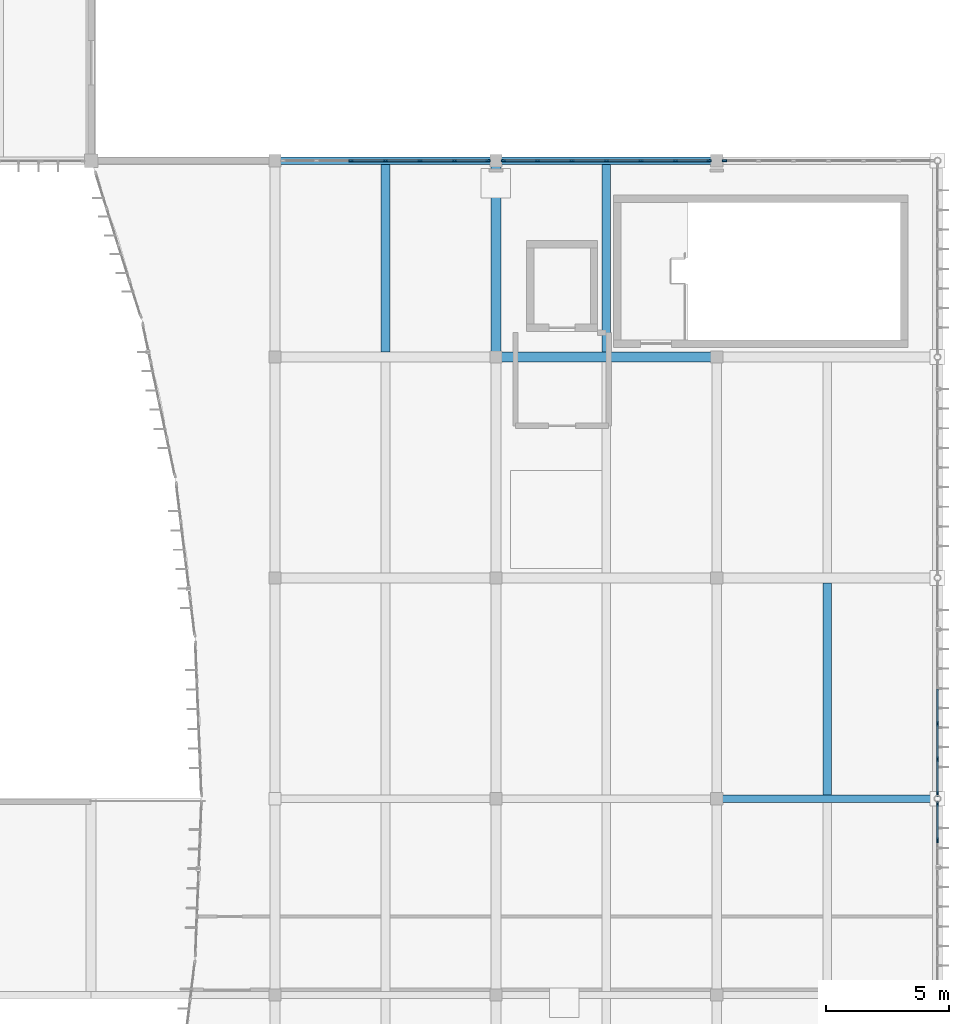
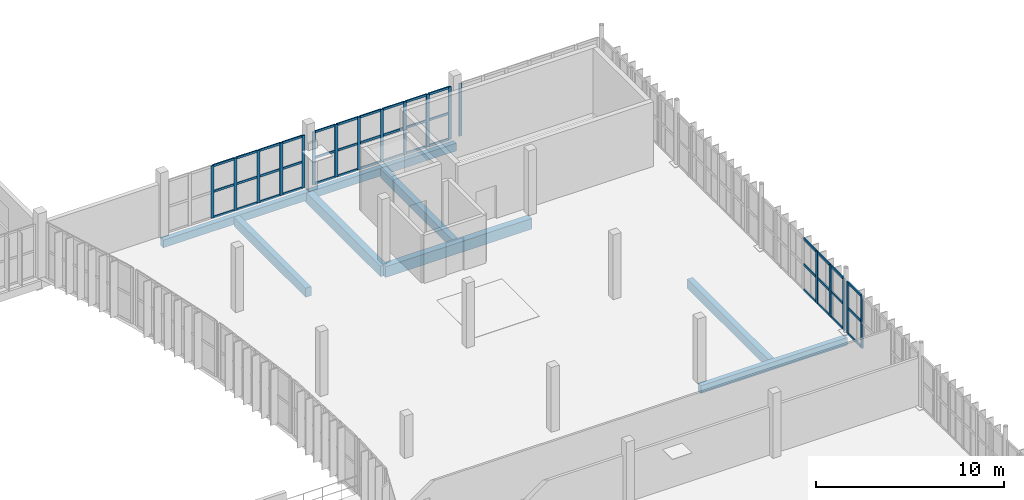
# One storey, part 28 of 61: 60 members, 8 beams, 5 elements without a shape of their own.
"""IFC4 building model written with IfcOpenShell, lengths in metres."""

from ifc_helpers import new_model, si_unit, direction, frame, origin, origin_2d, place, context, subcontext, project, spatial, rectangle, extrude, material, material_profile, profile_set, type_object, element, aggregate, save


model = new_model("IFC4")

# Units and contexts
model_context = context("Model", 3, precision=1e-05, world=origin(), true_north=direction((0.0, 1.0)))
body_context = subcontext(model_context, "Body", "Model", "MODEL_VIEW")
ifc_project = project(units=[si_unit("LENGTHUNIT", "METRE"), si_unit("AREAUNIT", "SQUARE_METRE"), si_unit("VOLUMEUNIT", "CUBIC_METRE"), si_unit("PLANEANGLEUNIT", "RADIAN"), si_unit("MASSUNIT", "GRAM", prefix="KILO")], contexts=[model_context])

# Site, building, storey
site_placement = place(None, origin())
site = spatial("IfcSite", under=ifc_project, at=site_placement, CompositionType="ELEMENT")
building_placement = place(site_placement, origin())
building = spatial("IfcBuilding", under=site, at=building_placement, Name="Vourika Railside Aquatics Centre", CompositionType="ELEMENT")
storey_placement = place(building_placement, frame((0.0, 0.0, 9.300048828125)))
storey = spatial("IfcBuildingStorey", under=building, at=storey_placement, Name="L02", CompositionType="ELEMENT", Elevation=9.300048828125)

# Beams
ifc_material_1 = material(Name="Concrete C35/45", Category="concrete")
ifc_material_profile_1 = material_profile(ifc_material_1, rectangle(XDim=0.39990234375, YDim=0.699951171875, at=origin_2d()), Name="RC 400x700")
ifc_profile_set_1 = profile_set([ifc_material_profile_1], Name="Concrete C35/45")
beam_type_1 = type_object("IfcBeamType", Name="BM-GIRD-400x700", PredefinedType="BEAM", material=ifc_profile_set_1)
beam_1_placement = place(storey_placement, frame((150.0, 84.0, -0.630126953125), z_axis=(1.0, 0.0, 0.0), x_axis=(0.0, 1.0, 0.0)))
element("IfcBeam", 1, at=beam_1_placement, inside=storey, type_object=beam_type_1, Name="Floor Beam GX-L02-082", PredefinedType="BEAM", context=body_context, shape_type="SweptSolid", body=[
    extrude(rectangle(XDim=0.39990234375, YDim=0.699951171875, at=origin_2d()), origin(), (0.0, 0.0, 1.0), 9.0),
])
beam_2_placement = place(storey_placement, frame((150.0, 84.0, -0.630126953125), z_axis=(0.0, 1.0, 0.0), x_axis=(-1.0, 0.0, 0.0)))
element("IfcBeam", 2, at=beam_2_placement, inside=storey, type_object=beam_type_1, Name="Floor Girder GY-L02-275", PredefinedType="BEAM", context=body_context, shape_type="SweptSolid", body=[
    extrude(rectangle(XDim=0.39990234375, YDim=0.699951171875, at=origin_2d()), origin(), (0.0, 0.0, 1.0), 8.0),
])
ifc_material_profile_2 = material_profile(ifc_material_1, rectangle(XDim=0.35009765625, YDim=0.60009765625, at=origin_2d()), Name="RC 350x600")
ifc_profile_set_2 = profile_set([ifc_material_profile_2], Name="Concrete C35/45")
beam_type_2 = type_object("IfcBeamType", Name="BM-SEC-350x600", PredefinedType="JOIST", material=ifc_profile_set_2)
beam_3_placement = place(storey_placement, frame((163.5, 66.14990234375, -0.580078125), z_axis=(0.0, 1.0, 0.0), x_axis=(-1.0, 0.0, 0.0)))
element("IfcBeam", 3, at=beam_3_placement, inside=storey, type_object=beam_type_2, Name="Secondary Joist JY-L02-324", PredefinedType="JOIST", context=body_context, shape_type="SweptSolid", body=[
    extrude(rectangle(XDim=0.35009765625, YDim=0.60009765625, at=origin_2d()), origin(), (0.0, 0.0, 1.0), 8.650146484375),
])
for number, where, z_axis, x_axis, name in (
    (4, (145.5, 84.199951171875, -0.580078125), (0.0, 1.0, 0.0), (-1.0, 0.0, 0.0), "Secondary Joist JY-L02-332"),
    (5, (154.5, 84.199951171875, -0.580078125), (0.0, 1.0, 0.0), (-1.0, 0.0, 0.0), "Secondary Joist JY-L02-333"),
):
    element("IfcBeam", number, at=place(storey_placement, frame(where, z_axis=z_axis, x_axis=x_axis)), inside=storey, type_object=beam_type_2, Name=name, PredefinedType="JOIST", context=body_context, shape_type="SweptSolid", body=[
        extrude(rectangle(XDim=0.35009765625, YDim=0.60009765625, at=origin_2d()), origin(), (0.0, 0.0, 1.0), 7.650146484375),
    ])
ifc_material_profile_3 = material_profile(ifc_material_1, rectangle(XDim=0.300048828125, YDim=0.5, at=origin_2d()), Name="RC 300x500")
ifc_profile_set_3 = profile_set([ifc_material_profile_3], Name="Concrete C35/45")
beam_type_3 = type_object("IfcBeamType", Name="BM-SPAN-300x500", PredefinedType="SPANDREL", material=ifc_profile_set_3)
for number, where, z_axis, x_axis, name in (
    (6, (159.0, 66.0, -0.530029296875), (1.0, 0.0, 0.0), (0.0, 1.0, 0.0), "Floor Beam GX-L02-073"),
    (7, (141.0, 92.0, -0.530029296875), (1.0, 0.0, 0.0), (0.0, 1.0, 0.0), "Floor Beam GX-L02-100"),
    (8, (150.0, 92.0, -0.530029296875), (1.0, 0.0, 0.0), (0.0, 1.0, 0.0), "Floor Beam GX-L02-101"),
):
    element("IfcBeam", number, at=place(storey_placement, frame(where, z_axis=z_axis, x_axis=x_axis)), inside=storey, type_object=beam_type_3, Name=name, PredefinedType="SPANDREL", context=body_context, shape_type="SweptSolid", body=[
        extrude(rectangle(XDim=0.300048828125, YDim=0.5, at=origin_2d()), origin(), (0.0, 0.0, 1.0), 9.0),
    ])

# Curtain wall, members
ifc_material_2 = material(Name="Anodized thermally broken aluminium", Category="aluminium")
curtain_wall_type_1 = type_object("IfcCurtainWallType", Name="CW-FOYE", PredefinedType="NOTDEFINED", material=ifc_material_2)
curtain_wall_1_placement = place(storey_placement, origin())
curtain_wall_1 = element("IfcCurtainWall", 9, at=curtain_wall_1_placement, inside=storey, type_object=curtain_wall_type_1, Name="East Arrival Facade Curtain Wall L02-3", PredefinedType="NOTDEFINED")
ifc_material_3 = material(Name="Anodized aluminium mullion", Category="aluminium")
ifc_material_profile_4 = material_profile(ifc_material_3, rectangle(XDim=0.074951171875, YDim=0.199951171875, at=origin_2d()), Name="ALU-M 75x200")
ifc_profile_set_4 = profile_set([ifc_material_profile_4], Name="Anodized aluminium mullion")
member_type_1 = type_object("IfcMemberType", Name="CWM-FOYE", PredefinedType="MULLION", material=ifc_profile_set_4)
member_1_placement = place(storey_placement, frame((168.0, 64.300048828125, 0.0), z_axis=(0.0, 0.0, 1.0), x_axis=(-1.0, 0.0, 0.0)))
member_1 = element("IfcMember", 10, at=member_1_placement, type_object=member_type_1, Name="CW10 mullion 5", PredefinedType="MULLION", context=body_context, shape_type="SweptSolid", body=[
    extrude(rectangle(XDim=0.074951171875, YDim=0.199951171875, at=origin_2d()), origin(), (0.0, 0.0, 1.0), 3.369873046875),
])
member_2_placement = place(storey_placement, frame((168.0, 65.7958984375, 0.0), z_axis=(0.0, 0.0, 1.0), x_axis=(-1.0, 0.0, 0.0)))
member_2 = element("IfcMember", 11, at=member_2_placement, type_object=member_type_1, Name="CW10 mullion 6", PredefinedType="MULLION", context=body_context, shape_type="SweptSolid", body=[
    extrude(rectangle(XDim=0.074951171875, YDim=0.199951171875, at=origin_2d()), origin(), (0.0, 0.0, 1.0), 3.369873046875),
])

curtain_wall_2_placement = place(storey_placement, origin())
curtain_wall_2 = element("IfcCurtainWall", 12, at=curtain_wall_2_placement, inside=storey, type_object=curtain_wall_type_1, Name="East Arrival Facade Curtain Wall L02-4", PredefinedType="NOTDEFINED")
member_3_placement = place(storey_placement, frame((168.0, 66.2041015625, 0.0), z_axis=(0.0, 0.0, 1.0), x_axis=(-1.0, 0.0, 0.0)))
member_3 = element("IfcMember", 13, at=member_3_placement, type_object=member_type_1, Name="CW10 mullion 1", PredefinedType="MULLION", context=body_context, shape_type="SweptSolid", body=[
    extrude(rectangle(XDim=0.074951171875, YDim=0.199951171875, at=origin_2d()), origin(), (0.0, 0.0, 1.0), 3.369873046875),
])
member_4_placement = place(storey_placement, frame((168.0, 67.611083984375, 0.0), z_axis=(0.0, 0.0, 1.0), x_axis=(-1.0, 0.0, 0.0)))
member_4 = element("IfcMember", 14, at=member_4_placement, type_object=member_type_1, Name="CW10 mullion 2", PredefinedType="MULLION", context=body_context, shape_type="SweptSolid", body=[
    extrude(rectangle(XDim=0.074951171875, YDim=0.199951171875, at=origin_2d()), origin(), (0.0, 0.0, 1.0), 3.369873046875),
])
member_5_placement = place(storey_placement, frame((168.0, 69.055419921875, 0.0), z_axis=(0.0, 0.0, 1.0), x_axis=(-1.0, 0.0, 0.0)))
member_5 = element("IfcMember", 15, at=member_5_placement, type_object=member_type_1, Name="CW10 mullion 3", PredefinedType="MULLION", context=body_context, shape_type="SweptSolid", body=[
    extrude(rectangle(XDim=0.074951171875, YDim=0.199951171875, at=origin_2d()), origin(), (0.0, 0.0, 1.0), 3.369873046875),
])

curtain_wall_type_2 = type_object("IfcCurtainWallType", Name="CW-FOYS", PredefinedType="NOTDEFINED", material=ifc_material_2)
curtain_wall_3_placement = place(storey_placement, origin())
curtain_wall_3 = element("IfcCurtainWall", 16, at=curtain_wall_3_placement, inside=storey, type_object=curtain_wall_type_2, Name="Foyer North Glazed Facade L02-1", PredefinedType="NOTDEFINED")
ifc_material_profile_5 = material_profile(ifc_material_3, rectangle(XDim=0.072021484375, YDim=0.181884765625, at=origin_2d()), Name="ALU-M 72x182")
ifc_profile_set_5 = profile_set([ifc_material_profile_5], Name="Anodized aluminium mullion")
member_type_2 = type_object("IfcMemberType", Name="CWM-FOYS", PredefinedType="MULLION", material=ifc_profile_set_5)
member_6_placement = place(storey_placement, frame((149.68408203125, 92.0, 0.0), z_axis=(0.0, 0.0, 1.0), x_axis=(0.0, -1.0, 0.0)))
member_6 = element("IfcMember", 17, at=member_6_placement, type_object=member_type_2, Name="CW11 mullion 1", PredefinedType="MULLION", context=body_context, shape_type="SweptSolid", body=[
    extrude(rectangle(XDim=0.072021484375, YDim=0.181884765625, at=origin_2d()), origin(), (0.0, 0.0, 1.0), 3.409912109375),
])
member_7_placement = place(storey_placement, frame((148.313232421875, 92.0, 0.0), z_axis=(0.0, 0.0, 1.0), x_axis=(0.0, -1.0, 0.0)))
member_7 = element("IfcMember", 18, at=member_7_placement, type_object=member_type_2, Name="CW11 mullion 2", PredefinedType="MULLION", context=body_context, shape_type="SweptSolid", body=[
    extrude(rectangle(XDim=0.072021484375, YDim=0.181884765625, at=origin_2d()), origin(), (0.0, 0.0, 1.0), 3.409912109375),
])
member_8_placement = place(storey_placement, frame((146.90673828125, 92.0, 0.0), z_axis=(0.0, 0.0, 1.0), x_axis=(0.0, -1.0, 0.0)))
member_8 = element("IfcMember", 19, at=member_8_placement, type_object=member_type_2, Name="CW11 mullion 3", PredefinedType="MULLION", context=body_context, shape_type="SweptSolid", body=[
    extrude(rectangle(XDim=0.072021484375, YDim=0.181884765625, at=origin_2d()), origin(), (0.0, 0.0, 1.0), 3.409912109375),
])
member_9_placement = place(storey_placement, frame((145.5, 92.0, 0.0), z_axis=(0.0, 0.0, 1.0), x_axis=(0.0, -1.0, 0.0)))
member_9 = element("IfcMember", 20, at=member_9_placement, type_object=member_type_2, Name="CW11 mullion 4", PredefinedType="MULLION", context=body_context, shape_type="SweptSolid", body=[
    extrude(rectangle(XDim=0.072021484375, YDim=0.181884765625, at=origin_2d()), origin(), (0.0, 0.0, 1.0), 3.409912109375),
])
member_10_placement = place(storey_placement, frame((144.09326171875, 92.0, 0.0), z_axis=(0.0, 0.0, 1.0), x_axis=(0.0, -1.0, 0.0)))
member_10 = element("IfcMember", 21, at=member_10_placement, type_object=member_type_2, Name="CW11 mullion 5", PredefinedType="MULLION", context=body_context, shape_type="SweptSolid", body=[
    extrude(rectangle(XDim=0.072021484375, YDim=0.181884765625, at=origin_2d()), origin(), (0.0, 0.0, 1.0), 3.409912109375),
])

curtain_wall_4_placement = place(storey_placement, origin())
curtain_wall_4 = element("IfcCurtainWall", 22, at=curtain_wall_4_placement, inside=storey, type_object=curtain_wall_type_2, Name="Foyer North Glazed Facade L02-2", PredefinedType="NOTDEFINED")
member_11_placement = place(storey_placement, frame((158.68408203125, 92.0, 0.0), z_axis=(0.0, 0.0, 1.0), x_axis=(0.0, -1.0, 0.0)))
member_11 = element("IfcMember", 23, at=member_11_placement, type_object=member_type_2, Name="CW11 mullion 1", PredefinedType="MULLION", context=body_context, shape_type="SweptSolid", body=[
    extrude(rectangle(XDim=0.072021484375, YDim=0.181884765625, at=origin_2d()), origin(), (0.0, 0.0, 1.0), 3.419921875),
])
member_12_placement = place(storey_placement, frame((157.313232421875, 92.0, 0.0), z_axis=(0.0, 0.0, 1.0), x_axis=(0.0, -1.0, 0.0)))
member_12 = element("IfcMember", 24, at=member_12_placement, type_object=member_type_2, Name="CW11 mullion 2", PredefinedType="MULLION", context=body_context, shape_type="SweptSolid", body=[
    extrude(rectangle(XDim=0.072021484375, YDim=0.181884765625, at=origin_2d()), origin(), (0.0, 0.0, 1.0), 3.419921875),
])
member_13_placement = place(storey_placement, frame((155.90673828125, 92.0, 0.0), z_axis=(0.0, 0.0, 1.0), x_axis=(0.0, -1.0, 0.0)))
member_13 = element("IfcMember", 25, at=member_13_placement, type_object=member_type_2, Name="CW11 mullion 3", PredefinedType="MULLION", context=body_context, shape_type="SweptSolid", body=[
    extrude(rectangle(XDim=0.072021484375, YDim=0.181884765625, at=origin_2d()), origin(), (0.0, 0.0, 1.0), 3.419921875),
])
member_14_placement = place(storey_placement, frame((154.5, 92.0, 0.0), z_axis=(0.0, 0.0, 1.0), x_axis=(0.0, -1.0, 0.0)))
member_14 = element("IfcMember", 26, at=member_14_placement, type_object=member_type_2, Name="CW11 mullion 4", PredefinedType="MULLION", context=body_context, shape_type="SweptSolid", body=[
    extrude(rectangle(XDim=0.072021484375, YDim=0.181884765625, at=origin_2d()), origin(), (0.0, 0.0, 1.0), 3.419921875),
])
member_15_placement = place(storey_placement, frame((153.09326171875, 92.0, 0.0), z_axis=(0.0, 0.0, 1.0), x_axis=(0.0, -1.0, 0.0)))
member_15 = element("IfcMember", 27, at=member_15_placement, type_object=member_type_2, Name="CW11 mullion 5", PredefinedType="MULLION", context=body_context, shape_type="SweptSolid", body=[
    extrude(rectangle(XDim=0.072021484375, YDim=0.181884765625, at=origin_2d()), origin(), (0.0, 0.0, 1.0), 3.419921875),
])
member_16_placement = place(storey_placement, frame((151.686767578125, 92.0, 0.0), z_axis=(0.0, 0.0, 1.0), x_axis=(0.0, -1.0, 0.0)))
member_16 = element("IfcMember", 28, at=member_16_placement, type_object=member_type_2, Name="CW11 mullion 6", PredefinedType="MULLION", context=body_context, shape_type="SweptSolid", body=[
    extrude(rectangle(XDim=0.072021484375, YDim=0.181884765625, at=origin_2d()), origin(), (0.0, 0.0, 1.0), 3.419921875),
])
member_17_placement = place(storey_placement, frame((150.31591796875, 92.0, 0.0), z_axis=(0.0, 0.0, 1.0), x_axis=(0.0, -1.0, 0.0)))
member_17 = element("IfcMember", 29, at=member_17_placement, type_object=member_type_2, Name="CW11 mullion 7", PredefinedType="MULLION", context=body_context, shape_type="SweptSolid", body=[
    extrude(rectangle(XDim=0.072021484375, YDim=0.181884765625, at=origin_2d()), origin(), (0.0, 0.0, 1.0), 3.419921875),
])

# Curtain wall, member
curtain_wall_5_placement = place(storey_placement, origin())
curtain_wall_5 = element("IfcCurtainWall", 30, at=curtain_wall_5_placement, inside=storey, type_object=curtain_wall_type_2, Name="Foyer North Glazed Facade L02-3", PredefinedType="NOTDEFINED")
member_18_placement = place(storey_placement, frame((159.31591796875, 92.0, 0.0), z_axis=(0.0, 0.0, 1.0), x_axis=(0.0, -1.0, 0.0)))
member_18 = element("IfcMember", 31, at=member_18_placement, type_object=member_type_2, Name="CW11 mullion 7", PredefinedType="MULLION", context=body_context, shape_type="SweptSolid", body=[
    extrude(rectangle(XDim=0.072021484375, YDim=0.181884765625, at=origin_2d()), origin(), (0.0, 0.0, 1.0), 3.419921875),
])
aggregate(curtain_wall_5, [member_18])

# Member
ifc_material_4 = material(Name="Anodized aluminium transom", Category="aluminium")
ifc_material_profile_6 = material_profile(ifc_material_4, rectangle(XDim=0.074951171875, YDim=0.157958984375, at=origin_2d()), Name="ALU-T 75x158")
ifc_profile_set_6 = profile_set([ifc_material_profile_6], Name="Anodized aluminium transom")
member_type_3 = type_object("IfcMemberType", Name="CWT-FOYE", PredefinedType="USERDEFINED", material=ifc_profile_set_6)
member_19_placement = place(storey_placement, frame((168.0, 64.337646484375, 0.037353515625), z_axis=(0.0, 1.0, 0.0), x_axis=(-1.0, 0.0, 0.0)))
member_19 = element("IfcMember", 32, at=member_19_placement, type_object=member_type_3, Name="CW10 transom 5.1", ObjectType="TRANSOM", PredefinedType="USERDEFINED", context=body_context, shape_type="SweptSolid", body=[
    extrude(rectangle(XDim=0.074951171875, YDim=0.157958984375, at=origin_2d()), origin(), (0.0, 0.0, 1.0), 1.4208984375),
])

member_20_placement = place(storey_placement, frame((168.0, 64.337646484375, 1.68505859375), z_axis=(0.0, 1.0, 0.0), x_axis=(-1.0, 0.0, 0.0)))
member_20 = element("IfcMember", 33, at=member_20_placement, type_object=member_type_3, Name="CW10 transom 5.2", ObjectType="TRANSOM", PredefinedType="USERDEFINED", context=body_context, shape_type="SweptSolid", body=[
    extrude(rectangle(XDim=0.074951171875, YDim=0.157958984375, at=origin_2d()), origin(), (0.0, 0.0, 1.0), 1.4208984375),
])

member_21_placement = place(storey_placement, frame((168.0, 64.337646484375, 3.33251953125), z_axis=(0.0, 1.0, 0.0), x_axis=(-1.0, 0.0, 0.0)))
member_21 = element("IfcMember", 34, at=member_21_placement, type_object=member_type_3, Name="CW10 transom 5.3", ObjectType="TRANSOM", PredefinedType="USERDEFINED", context=body_context, shape_type="SweptSolid", body=[
    extrude(rectangle(XDim=0.074951171875, YDim=0.157958984375, at=origin_2d()), origin(), (0.0, 0.0, 1.0), 1.4208984375),
])

aggregate(curtain_wall_1, [member_1, member_2, member_19, member_20, member_21])

member_22_placement = place(storey_placement, frame((168.0, 66.241455078125, 0.037353515625), z_axis=(0.0, 1.0, 0.0), x_axis=(-1.0, 0.0, 0.0)))
member_22 = element("IfcMember", 35, at=member_22_placement, type_object=member_type_3, Name="CW10 transom 1.1", ObjectType="TRANSOM", PredefinedType="USERDEFINED", context=body_context, shape_type="SweptSolid", body=[
    extrude(rectangle(XDim=0.074951171875, YDim=0.157958984375, at=origin_2d()), origin(), (0.0, 0.0, 1.0), 1.33203125),
])

member_23_placement = place(storey_placement, frame((168.0, 66.241455078125, 1.68505859375), z_axis=(0.0, 1.0, 0.0), x_axis=(-1.0, 0.0, 0.0)))
member_23 = element("IfcMember", 36, at=member_23_placement, type_object=member_type_3, Name="CW10 transom 1.2", ObjectType="TRANSOM", PredefinedType="USERDEFINED", context=body_context, shape_type="SweptSolid", body=[
    extrude(rectangle(XDim=0.074951171875, YDim=0.157958984375, at=origin_2d()), origin(), (0.0, 0.0, 1.0), 1.33203125),
])

member_24_placement = place(storey_placement, frame((168.0, 66.241455078125, 3.33251953125), z_axis=(0.0, 1.0, 0.0), x_axis=(-1.0, 0.0, 0.0)))
member_24 = element("IfcMember", 37, at=member_24_placement, type_object=member_type_3, Name="CW10 transom 1.3", ObjectType="TRANSOM", PredefinedType="USERDEFINED", context=body_context, shape_type="SweptSolid", body=[
    extrude(rectangle(XDim=0.074951171875, YDim=0.157958984375, at=origin_2d()), origin(), (0.0, 0.0, 1.0), 1.33203125),
])

member_25_placement = place(storey_placement, frame((168.0, 67.6484375, 0.037353515625), z_axis=(0.0, 1.0, 0.0), x_axis=(-1.0, 0.0, 0.0)))
member_25 = element("IfcMember", 38, at=member_25_placement, type_object=member_type_3, Name="CW10 transom 2.1", ObjectType="TRANSOM", PredefinedType="USERDEFINED", context=body_context, shape_type="SweptSolid", body=[
    extrude(rectangle(XDim=0.074951171875, YDim=0.157958984375, at=origin_2d()), origin(), (0.0, 0.0, 1.0), 1.36962890625),
])

member_26_placement = place(storey_placement, frame((168.0, 67.6484375, 1.68505859375), z_axis=(0.0, 1.0, 0.0), x_axis=(-1.0, 0.0, 0.0)))
member_26 = element("IfcMember", 39, at=member_26_placement, type_object=member_type_3, Name="CW10 transom 2.2", ObjectType="TRANSOM", PredefinedType="USERDEFINED", context=body_context, shape_type="SweptSolid", body=[
    extrude(rectangle(XDim=0.074951171875, YDim=0.157958984375, at=origin_2d()), origin(), (0.0, 0.0, 1.0), 1.36962890625),
])

member_27_placement = place(storey_placement, frame((168.0, 67.6484375, 3.33251953125), z_axis=(0.0, 1.0, 0.0), x_axis=(-1.0, 0.0, 0.0)))
member_27 = element("IfcMember", 40, at=member_27_placement, type_object=member_type_3, Name="CW10 transom 2.3", ObjectType="TRANSOM", PredefinedType="USERDEFINED", context=body_context, shape_type="SweptSolid", body=[
    extrude(rectangle(XDim=0.074951171875, YDim=0.157958984375, at=origin_2d()), origin(), (0.0, 0.0, 1.0), 1.36962890625),
])

member_28_placement = place(storey_placement, frame((168.0, 69.093017578125, 0.037353515625), z_axis=(0.0, 1.0, 0.0), x_axis=(-1.0, 0.0, 0.0)))
member_28 = element("IfcMember", 41, at=member_28_placement, type_object=member_type_3, Name="CW10 transom 3.1", ObjectType="TRANSOM", PredefinedType="USERDEFINED", context=body_context, shape_type="SweptSolid", body=[
    extrude(rectangle(XDim=0.074951171875, YDim=0.157958984375, at=origin_2d()), origin(), (0.0, 0.0, 1.0), 1.369384765625),
])

member_29_placement = place(storey_placement, frame((168.0, 69.093017578125, 1.68505859375), z_axis=(0.0, 1.0, 0.0), x_axis=(-1.0, 0.0, 0.0)))
member_29 = element("IfcMember", 42, at=member_29_placement, type_object=member_type_3, Name="CW10 transom 3.2", ObjectType="TRANSOM", PredefinedType="USERDEFINED", context=body_context, shape_type="SweptSolid", body=[
    extrude(rectangle(XDim=0.074951171875, YDim=0.157958984375, at=origin_2d()), origin(), (0.0, 0.0, 1.0), 1.369384765625),
])

member_30_placement = place(storey_placement, frame((168.0, 69.093017578125, 3.33251953125), z_axis=(0.0, 1.0, 0.0), x_axis=(-1.0, 0.0, 0.0)))
member_30 = element("IfcMember", 43, at=member_30_placement, type_object=member_type_3, Name="CW10 transom 3.3", ObjectType="TRANSOM", PredefinedType="USERDEFINED", context=body_context, shape_type="SweptSolid", body=[
    extrude(rectangle(XDim=0.074951171875, YDim=0.157958984375, at=origin_2d()), origin(), (0.0, 0.0, 1.0), 1.369384765625),
])

aggregate(curtain_wall_2, [member_3, member_4, member_5, member_22, member_23, member_24, member_25, member_26, member_27, member_28, member_29, member_30])

ifc_material_profile_7 = material_profile(ifc_material_4, rectangle(XDim=0.072021484375, YDim=0.14404296875, at=origin_2d()), Name="ALU-T 72x144")
ifc_profile_set_7 = profile_set([ifc_material_profile_7], Name="Anodized aluminium transom")
member_type_4 = type_object("IfcMemberType", Name="CWT-FOYS", PredefinedType="USERDEFINED", material=ifc_profile_set_7)
member_31_placement = place(storey_placement, frame((149.64794921875, 92.0, 0.035888671875), z_axis=(-1.0, 0.0, 0.0), x_axis=(0.0, -1.0, 0.0)))
member_31 = element("IfcMember", 44, at=member_31_placement, type_object=member_type_4, Name="CW11 transom 1.1", ObjectType="TRANSOM", PredefinedType="USERDEFINED", context=body_context, shape_type="SweptSolid", body=[
    extrude(rectangle(XDim=0.072021484375, YDim=0.14404296875, at=origin_2d()), origin(), (0.0, 0.0, 1.0), 1.298583984375),
])

member_32_placement = place(storey_placement, frame((149.64794921875, 92.0, 1.704833984375), z_axis=(-1.0, 0.0, 0.0), x_axis=(0.0, -1.0, 0.0)))
member_32 = element("IfcMember", 45, at=member_32_placement, type_object=member_type_4, Name="CW11 transom 1.2", ObjectType="TRANSOM", PredefinedType="USERDEFINED", context=body_context, shape_type="SweptSolid", body=[
    extrude(rectangle(XDim=0.072021484375, YDim=0.14404296875, at=origin_2d()), origin(), (0.0, 0.0, 1.0), 1.298583984375),
])

member_33_placement = place(storey_placement, frame((149.64794921875, 92.0, 3.3740234375), z_axis=(-1.0, 0.0, 0.0), x_axis=(0.0, -1.0, 0.0)))
member_33 = element("IfcMember", 46, at=member_33_placement, type_object=member_type_4, Name="CW11 transom 1.3", ObjectType="TRANSOM", PredefinedType="USERDEFINED", context=body_context, shape_type="SweptSolid", body=[
    extrude(rectangle(XDim=0.072021484375, YDim=0.14404296875, at=origin_2d()), origin(), (0.0, 0.0, 1.0), 1.298583984375),
])

member_34_placement = place(storey_placement, frame((148.27734375, 92.0, 0.035888671875), z_axis=(-1.0, 0.0, 0.0), x_axis=(0.0, -1.0, 0.0)))
member_34 = element("IfcMember", 47, at=member_34_placement, type_object=member_type_4, Name="CW11 transom 2.1", ObjectType="TRANSOM", PredefinedType="USERDEFINED", context=body_context, shape_type="SweptSolid", body=[
    extrude(rectangle(XDim=0.072021484375, YDim=0.14404296875, at=origin_2d()), origin(), (0.0, 0.0, 1.0), 1.334716796875),
])

member_35_placement = place(storey_placement, frame((148.27734375, 92.0, 1.704833984375), z_axis=(-1.0, 0.0, 0.0), x_axis=(0.0, -1.0, 0.0)))
member_35 = element("IfcMember", 48, at=member_35_placement, type_object=member_type_4, Name="CW11 transom 2.2", ObjectType="TRANSOM", PredefinedType="USERDEFINED", context=body_context, shape_type="SweptSolid", body=[
    extrude(rectangle(XDim=0.072021484375, YDim=0.14404296875, at=origin_2d()), origin(), (0.0, 0.0, 1.0), 1.334716796875),
])

member_36_placement = place(storey_placement, frame((148.27734375, 92.0, 3.3740234375), z_axis=(-1.0, 0.0, 0.0), x_axis=(0.0, -1.0, 0.0)))
member_36 = element("IfcMember", 49, at=member_36_placement, type_object=member_type_4, Name="CW11 transom 2.3", ObjectType="TRANSOM", PredefinedType="USERDEFINED", context=body_context, shape_type="SweptSolid", body=[
    extrude(rectangle(XDim=0.072021484375, YDim=0.14404296875, at=origin_2d()), origin(), (0.0, 0.0, 1.0), 1.334716796875),
])

member_37_placement = place(storey_placement, frame((146.87060546875, 92.0, 0.035888671875), z_axis=(-1.0, 0.0, 0.0), x_axis=(0.0, -1.0, 0.0)))
member_37 = element("IfcMember", 50, at=member_37_placement, type_object=member_type_4, Name="CW11 transom 3.1", ObjectType="TRANSOM", PredefinedType="USERDEFINED", context=body_context, shape_type="SweptSolid", body=[
    extrude(rectangle(XDim=0.072021484375, YDim=0.14404296875, at=origin_2d()), origin(), (0.0, 0.0, 1.0), 1.334716796875),
])

member_38_placement = place(storey_placement, frame((146.87060546875, 92.0, 1.704833984375), z_axis=(-1.0, 0.0, 0.0), x_axis=(0.0, -1.0, 0.0)))
member_38 = element("IfcMember", 51, at=member_38_placement, type_object=member_type_4, Name="CW11 transom 3.2", ObjectType="TRANSOM", PredefinedType="USERDEFINED", context=body_context, shape_type="SweptSolid", body=[
    extrude(rectangle(XDim=0.072021484375, YDim=0.14404296875, at=origin_2d()), origin(), (0.0, 0.0, 1.0), 1.334716796875),
])

member_39_placement = place(storey_placement, frame((146.87060546875, 92.0, 3.3740234375), z_axis=(-1.0, 0.0, 0.0), x_axis=(0.0, -1.0, 0.0)))
member_39 = element("IfcMember", 52, at=member_39_placement, type_object=member_type_4, Name="CW11 transom 3.3", ObjectType="TRANSOM", PredefinedType="USERDEFINED", context=body_context, shape_type="SweptSolid", body=[
    extrude(rectangle(XDim=0.072021484375, YDim=0.14404296875, at=origin_2d()), origin(), (0.0, 0.0, 1.0), 1.334716796875),
])

member_40_placement = place(storey_placement, frame((145.464111328125, 92.0, 0.035888671875), z_axis=(-1.0, 0.0, 0.0), x_axis=(0.0, -1.0, 0.0)))
member_40 = element("IfcMember", 53, at=member_40_placement, type_object=member_type_4, Name="CW11 transom 4.1", ObjectType="TRANSOM", PredefinedType="USERDEFINED", context=body_context, shape_type="SweptSolid", body=[
    extrude(rectangle(XDim=0.072021484375, YDim=0.14404296875, at=origin_2d()), origin(), (0.0, 0.0, 1.0), 1.334716796875),
])

member_41_placement = place(storey_placement, frame((145.464111328125, 92.0, 1.704833984375), z_axis=(-1.0, 0.0, 0.0), x_axis=(0.0, -1.0, 0.0)))
member_41 = element("IfcMember", 54, at=member_41_placement, type_object=member_type_4, Name="CW11 transom 4.2", ObjectType="TRANSOM", PredefinedType="USERDEFINED", context=body_context, shape_type="SweptSolid", body=[
    extrude(rectangle(XDim=0.072021484375, YDim=0.14404296875, at=origin_2d()), origin(), (0.0, 0.0, 1.0), 1.334716796875),
])

member_42_placement = place(storey_placement, frame((145.464111328125, 92.0, 3.3740234375), z_axis=(-1.0, 0.0, 0.0), x_axis=(0.0, -1.0, 0.0)))
member_42 = element("IfcMember", 55, at=member_42_placement, type_object=member_type_4, Name="CW11 transom 4.3", ObjectType="TRANSOM", PredefinedType="USERDEFINED", context=body_context, shape_type="SweptSolid", body=[
    extrude(rectangle(XDim=0.072021484375, YDim=0.14404296875, at=origin_2d()), origin(), (0.0, 0.0, 1.0), 1.334716796875),
])

aggregate(curtain_wall_3, [member_6, member_7, member_8, member_9, member_10, member_31, member_32, member_33, member_34, member_35, member_36, member_37, member_38, member_39, member_40, member_41, member_42])

member_43_placement = place(storey_placement, frame((158.64794921875, 92.0, 0.035888671875), z_axis=(-1.0, 0.0, 0.0), x_axis=(0.0, -1.0, 0.0)))
member_43 = element("IfcMember", 56, at=member_43_placement, type_object=member_type_4, Name="CW11 transom 1.1", ObjectType="TRANSOM", PredefinedType="USERDEFINED", context=body_context, shape_type="SweptSolid", body=[
    extrude(rectangle(XDim=0.072021484375, YDim=0.14404296875, at=origin_2d()), origin(), (0.0, 0.0, 1.0), 1.298583984375),
])

member_44_placement = place(storey_placement, frame((158.64794921875, 92.0, 1.7099609375), z_axis=(-1.0, 0.0, 0.0), x_axis=(0.0, -1.0, 0.0)))
member_44 = element("IfcMember", 57, at=member_44_placement, type_object=member_type_4, Name="CW11 transom 1.2", ObjectType="TRANSOM", PredefinedType="USERDEFINED", context=body_context, shape_type="SweptSolid", body=[
    extrude(rectangle(XDim=0.072021484375, YDim=0.14404296875, at=origin_2d()), origin(), (0.0, 0.0, 1.0), 1.298583984375),
])

member_45_placement = place(storey_placement, frame((158.64794921875, 92.0, 3.384033203125), z_axis=(-1.0, 0.0, 0.0), x_axis=(0.0, -1.0, 0.0)))
member_45 = element("IfcMember", 58, at=member_45_placement, type_object=member_type_4, Name="CW11 transom 1.3", ObjectType="TRANSOM", PredefinedType="USERDEFINED", context=body_context, shape_type="SweptSolid", body=[
    extrude(rectangle(XDim=0.072021484375, YDim=0.14404296875, at=origin_2d()), origin(), (0.0, 0.0, 1.0), 1.298583984375),
])

member_46_placement = place(storey_placement, frame((157.27734375, 92.0, 0.035888671875), z_axis=(-1.0, 0.0, 0.0), x_axis=(0.0, -1.0, 0.0)))
member_46 = element("IfcMember", 59, at=member_46_placement, type_object=member_type_4, Name="CW11 transom 2.1", ObjectType="TRANSOM", PredefinedType="USERDEFINED", context=body_context, shape_type="SweptSolid", body=[
    extrude(rectangle(XDim=0.072021484375, YDim=0.14404296875, at=origin_2d()), origin(), (0.0, 0.0, 1.0), 1.334716796875),
])

member_47_placement = place(storey_placement, frame((157.27734375, 92.0, 1.7099609375), z_axis=(-1.0, 0.0, 0.0), x_axis=(0.0, -1.0, 0.0)))
member_47 = element("IfcMember", 60, at=member_47_placement, type_object=member_type_4, Name="CW11 transom 2.2", ObjectType="TRANSOM", PredefinedType="USERDEFINED", context=body_context, shape_type="SweptSolid", body=[
    extrude(rectangle(XDim=0.072021484375, YDim=0.14404296875, at=origin_2d()), origin(), (0.0, 0.0, 1.0), 1.334716796875),
])

member_48_placement = place(storey_placement, frame((157.27734375, 92.0, 3.384033203125), z_axis=(-1.0, 0.0, 0.0), x_axis=(0.0, -1.0, 0.0)))
member_48 = element("IfcMember", 61, at=member_48_placement, type_object=member_type_4, Name="CW11 transom 2.3", ObjectType="TRANSOM", PredefinedType="USERDEFINED", context=body_context, shape_type="SweptSolid", body=[
    extrude(rectangle(XDim=0.072021484375, YDim=0.14404296875, at=origin_2d()), origin(), (0.0, 0.0, 1.0), 1.334716796875),
])

member_49_placement = place(storey_placement, frame((155.87060546875, 92.0, 0.035888671875), z_axis=(-1.0, 0.0, 0.0), x_axis=(0.0, -1.0, 0.0)))
member_49 = element("IfcMember", 62, at=member_49_placement, type_object=member_type_4, Name="CW11 transom 3.1", ObjectType="TRANSOM", PredefinedType="USERDEFINED", context=body_context, shape_type="SweptSolid", body=[
    extrude(rectangle(XDim=0.072021484375, YDim=0.14404296875, at=origin_2d()), origin(), (0.0, 0.0, 1.0), 1.334716796875),
])

member_50_placement = place(storey_placement, frame((155.87060546875, 92.0, 1.7099609375), z_axis=(-1.0, 0.0, 0.0), x_axis=(0.0, -1.0, 0.0)))
member_50 = element("IfcMember", 63, at=member_50_placement, type_object=member_type_4, Name="CW11 transom 3.2", ObjectType="TRANSOM", PredefinedType="USERDEFINED", context=body_context, shape_type="SweptSolid", body=[
    extrude(rectangle(XDim=0.072021484375, YDim=0.14404296875, at=origin_2d()), origin(), (0.0, 0.0, 1.0), 1.334716796875),
])

member_51_placement = place(storey_placement, frame((155.87060546875, 92.0, 3.384033203125), z_axis=(-1.0, 0.0, 0.0), x_axis=(0.0, -1.0, 0.0)))
member_51 = element("IfcMember", 64, at=member_51_placement, type_object=member_type_4, Name="CW11 transom 3.3", ObjectType="TRANSOM", PredefinedType="USERDEFINED", context=body_context, shape_type="SweptSolid", body=[
    extrude(rectangle(XDim=0.072021484375, YDim=0.14404296875, at=origin_2d()), origin(), (0.0, 0.0, 1.0), 1.334716796875),
])

member_52_placement = place(storey_placement, frame((154.464111328125, 92.0, 0.035888671875), z_axis=(-1.0, 0.0, 0.0), x_axis=(0.0, -1.0, 0.0)))
member_52 = element("IfcMember", 65, at=member_52_placement, type_object=member_type_4, Name="CW11 transom 4.1", ObjectType="TRANSOM", PredefinedType="USERDEFINED", context=body_context, shape_type="SweptSolid", body=[
    extrude(rectangle(XDim=0.072021484375, YDim=0.14404296875, at=origin_2d()), origin(), (0.0, 0.0, 1.0), 1.334716796875),
])

member_53_placement = place(storey_placement, frame((154.464111328125, 92.0, 1.7099609375), z_axis=(-1.0, 0.0, 0.0), x_axis=(0.0, -1.0, 0.0)))
member_53 = element("IfcMember", 66, at=member_53_placement, type_object=member_type_4, Name="CW11 transom 4.2", ObjectType="TRANSOM", PredefinedType="USERDEFINED", context=body_context, shape_type="SweptSolid", body=[
    extrude(rectangle(XDim=0.072021484375, YDim=0.14404296875, at=origin_2d()), origin(), (0.0, 0.0, 1.0), 1.334716796875),
])

member_54_placement = place(storey_placement, frame((154.464111328125, 92.0, 3.384033203125), z_axis=(-1.0, 0.0, 0.0), x_axis=(0.0, -1.0, 0.0)))
member_54 = element("IfcMember", 67, at=member_54_placement, type_object=member_type_4, Name="CW11 transom 4.3", ObjectType="TRANSOM", PredefinedType="USERDEFINED", context=body_context, shape_type="SweptSolid", body=[
    extrude(rectangle(XDim=0.072021484375, YDim=0.14404296875, at=origin_2d()), origin(), (0.0, 0.0, 1.0), 1.334716796875),
])

member_55_placement = place(storey_placement, frame((153.057373046875, 92.0, 0.035888671875), z_axis=(-1.0, 0.0, 0.0), x_axis=(0.0, -1.0, 0.0)))
member_55 = element("IfcMember", 68, at=member_55_placement, type_object=member_type_4, Name="CW11 transom 5.1", ObjectType="TRANSOM", PredefinedType="USERDEFINED", context=body_context, shape_type="SweptSolid", body=[
    extrude(rectangle(XDim=0.072021484375, YDim=0.14404296875, at=origin_2d()), origin(), (0.0, 0.0, 1.0), 1.334716796875),
])

member_56_placement = place(storey_placement, frame((153.057373046875, 92.0, 1.7099609375), z_axis=(-1.0, 0.0, 0.0), x_axis=(0.0, -1.0, 0.0)))
member_56 = element("IfcMember", 69, at=member_56_placement, type_object=member_type_4, Name="CW11 transom 5.2", ObjectType="TRANSOM", PredefinedType="USERDEFINED", context=body_context, shape_type="SweptSolid", body=[
    extrude(rectangle(XDim=0.072021484375, YDim=0.14404296875, at=origin_2d()), origin(), (0.0, 0.0, 1.0), 1.334716796875),
])

member_57_placement = place(storey_placement, frame((153.057373046875, 92.0, 3.384033203125), z_axis=(-1.0, 0.0, 0.0), x_axis=(0.0, -1.0, 0.0)))
member_57 = element("IfcMember", 70, at=member_57_placement, type_object=member_type_4, Name="CW11 transom 5.3", ObjectType="TRANSOM", PredefinedType="USERDEFINED", context=body_context, shape_type="SweptSolid", body=[
    extrude(rectangle(XDim=0.072021484375, YDim=0.14404296875, at=origin_2d()), origin(), (0.0, 0.0, 1.0), 1.334716796875),
])

member_58_placement = place(storey_placement, frame((151.650634765625, 92.0, 0.035888671875), z_axis=(-1.0, 0.0, 0.0), x_axis=(0.0, -1.0, 0.0)))
member_58 = element("IfcMember", 71, at=member_58_placement, type_object=member_type_4, Name="CW11 transom 6.1", ObjectType="TRANSOM", PredefinedType="USERDEFINED", context=body_context, shape_type="SweptSolid", body=[
    extrude(rectangle(XDim=0.072021484375, YDim=0.14404296875, at=origin_2d()), origin(), (0.0, 0.0, 1.0), 1.298583984375),
])

member_59_placement = place(storey_placement, frame((151.650634765625, 92.0, 1.7099609375), z_axis=(-1.0, 0.0, 0.0), x_axis=(0.0, -1.0, 0.0)))
member_59 = element("IfcMember", 72, at=member_59_placement, type_object=member_type_4, Name="CW11 transom 6.2", ObjectType="TRANSOM", PredefinedType="USERDEFINED", context=body_context, shape_type="SweptSolid", body=[
    extrude(rectangle(XDim=0.072021484375, YDim=0.14404296875, at=origin_2d()), origin(), (0.0, 0.0, 1.0), 1.298583984375),
])

member_60_placement = place(storey_placement, frame((151.650634765625, 92.0, 3.384033203125), z_axis=(-1.0, 0.0, 0.0), x_axis=(0.0, -1.0, 0.0)))
member_60 = element("IfcMember", 73, at=member_60_placement, type_object=member_type_4, Name="CW11 transom 6.3", ObjectType="TRANSOM", PredefinedType="USERDEFINED", context=body_context, shape_type="SweptSolid", body=[
    extrude(rectangle(XDim=0.072021484375, YDim=0.14404296875, at=origin_2d()), origin(), (0.0, 0.0, 1.0), 1.298583984375),
])

aggregate(curtain_wall_4, [member_11, member_12, member_13, member_14, member_15, member_16, member_17, member_43, member_44, member_45, member_46, member_47, member_48, member_49, member_50, member_51, member_52, member_53, member_54, member_55, member_56, member_57, member_58, member_59, member_60])

save(model, "model.ifc")
